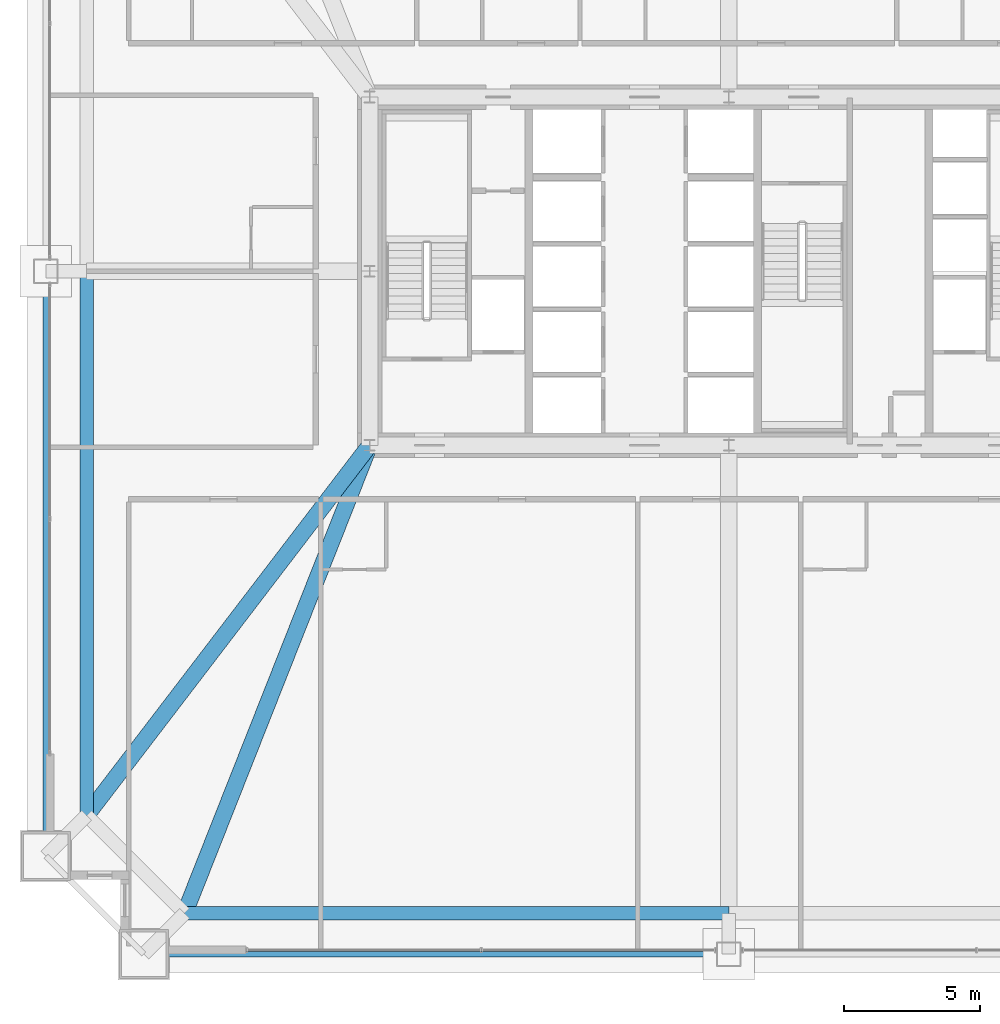
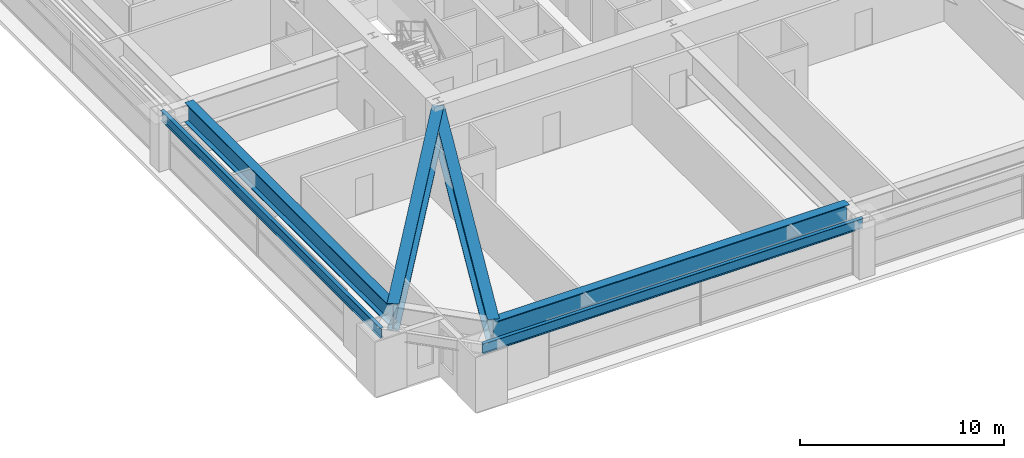
# One storey, part 4 of 44: 6 beams.
"""IFC4 building model written with IfcOpenShell, lengths in metres."""

from ifc_helpers import new_model, si_unit, direction, frame, origin, origin_2d, place, context, subcontext, project, spatial, i_section, extrude, source, transform, mapped, material, material_profile, profile_set, type_object, element, save


model = new_model("IFC4")

# Units and contexts
model_context = context("Model", 3, precision=1e-05, world=origin(), true_north=direction((0.0, 1.0)))
body_context = subcontext(model_context, "Body", "Model", "MODEL_VIEW")
ifc_project = project(units=[si_unit("LENGTHUNIT", "METRE"), si_unit("AREAUNIT", "SQUARE_METRE"), si_unit("VOLUMEUNIT", "CUBIC_METRE"), si_unit("PLANEANGLEUNIT", "RADIAN"), si_unit("MASSUNIT", "GRAM", prefix="KILO"), si_unit("THERMODYNAMICTEMPERATUREUNIT", "KELVIN"), si_unit("POWERUNIT", "WATT")], contexts=[model_context])

# Site, building, storey
site_placement = place(None, origin())
site = spatial("IfcSite", under=ifc_project, at=site_placement, CompositionType="ELEMENT")
building_placement = place(site_placement, origin())
building = spatial("IfcBuilding", under=site, at=building_placement, Name="Yuzanri Waterfront Tower", CompositionType="ELEMENT")
storey_placement = place(building_placement, frame((0.0, 0.0, 82.0)))
storey = spatial("IfcBuildingStorey", under=building, at=storey_placement, Name="L21", CompositionType="ELEMENT", Elevation=82.0)

# Beams
ifc_material_1 = material(Name="Steel Q355B", Category="steel")
ifc_material_profile_1 = material_profile(ifc_material_1, i_section(OverallWidth=0.199951171875, OverallDepth=0.60009765625, WebThickness=0.010986328125, FlangeThickness=0.01708984375, at=origin_2d()), Name="HN 600x200x11x17")
ifc_profile_set_1 = profile_set([ifc_material_profile_1], Name="Steel Q355B")
beam_type_1 = type_object("IfcBeamType", Name="Perimeter Spandrel Q355B HN 600x200", PredefinedType="SPANDREL", material=ifc_profile_set_1)
shared_shape_1 = source(origin(), body_context, "Body", "SweptSolid", [
    extrude(i_section(OverallWidth=0.199951171875, OverallDepth=0.60009765625, WebThickness=0.010986328125, FlangeThickness=0.01708984375, at=origin_2d()), origin(), (0.0, 0.0, 1.0), 21.5),
])
for number, where, z_axis, x_axis, name in (
    (1, (15.5, 0.699951171875, 3.02001953125), (1.0, 0.0, 0.0), (0.0, 1.0, 0.0), "L21 Perimeter Spandrel S1-S2"),
    (2, (11.89990234375, 25.800048828125, 3.02001953125), (0.0, -1.0, 0.0), (1.0, 0.0, 0.0), "L21 Perimeter Spandrel W2-W1"),
):
    element("IfcBeam", number, at=place(storey_placement, frame(where, z_axis=z_axis, x_axis=x_axis)), inside=storey, type_object=beam_type_1, Name=name, PredefinedType="SPANDREL", context=body_context, shape_type="MappedRepresentation", body=[
        mapped(shared_shape_1, transform((0.0, 0.0, 0.0), scale=1.0)),
    ])
ifc_material_2 = material(Name="Steel Q420GJC", Category="steel")
ifc_material_profile_2 = material_profile(ifc_material_2, i_section(OverallWidth=0.60009765625, OverallDepth=1.60009765625, WebThickness=0.031982421875, FlangeThickness=0.06005859375, at=origin_2d()), Name="PG 1600x600x32x60")
ifc_profile_set_2 = profile_set([ifc_material_profile_2], Name="Steel Q420GJC")
beam_type_2 = type_object("IfcBeamType", Name="Ballroom Transfer Girder Q420GJC PG 1600x600", PredefinedType="USERDEFINED", material=ifc_profile_set_2)
shared_shape_2 = source(origin(), body_context, "Body", "SweptSolid", [
    extrude(i_section(OverallWidth=0.60009765625, OverallDepth=1.60009765625, WebThickness=0.031982421875, FlangeThickness=0.06005859375, at=origin_2d()), origin(), (0.0, 0.0, 1.0), 18.495361328125),
])
beam_1_placement = place(storey_placement, frame((23.800048828125, 19.39990234375, 2.52001953125), z_axis=(-0.367662075171, -0.929959460665, 0.0), x_axis=(0.929959460665, -0.367662075171, 0.0)))
element("IfcBeam", 3, at=beam_1_placement, inside=storey, type_object=beam_type_2, Name="L21 Setback Inner Transfer S1", ObjectType="GIRDER", PredefinedType="USERDEFINED", context=body_context, shape_type="MappedRepresentation", body=[
    mapped(shared_shape_2, transform((0.0, 0.0, 0.0), scale=1.0)),
])
shared_shape_3 = source(origin(), body_context, "Body", "SweptSolid", [
    extrude(i_section(OverallWidth=0.60009765625, OverallDepth=1.60009765625, WebThickness=0.031982421875, FlangeThickness=0.06005859375, at=origin_2d()), origin(), (0.0, 0.0, 1.0), 17.12060546875),
])
beam_2_placement = place(storey_placement, frame((23.800048828125, 19.39990234375, 2.52001953125), z_axis=(-0.607459634918, -0.794350547268, 0.0), x_axis=(0.794350547268, -0.607459634918, 0.0)))
element("IfcBeam", 4, at=beam_2_placement, inside=storey, type_object=beam_type_2, Name="L21 Setback Inner Transfer W1", ObjectType="GIRDER", PredefinedType="USERDEFINED", context=body_context, shape_type="MappedRepresentation", body=[
    mapped(shared_shape_3, transform((0.0, 0.0, 0.0), scale=1.0)),
])
ifc_material_3 = material(Name="Steel Q420GJC", Category="steel")
ifc_material_profile_3 = material_profile(ifc_material_3, i_section(OverallWidth=0.5, OverallDepth=1.199951171875, WebThickness=0.028076171875, FlangeThickness=0.050048828125, at=origin_2d()), Name="PG 1200x500x28x50")
ifc_profile_set_3 = profile_set([ifc_material_profile_3], Name="Steel Q420GJC")
beam_type_3 = type_object("IfcBeamType", Name="Setback Transfer Girder Q420GJC PG 1200x500", PredefinedType="USERDEFINED", material=ifc_profile_set_3)
shared_shape_4 = source(origin(), body_context, "Body", "SweptSolid", [
    extrude(i_section(OverallWidth=0.5, OverallDepth=1.199951171875, WebThickness=0.028076171875, FlangeThickness=0.050048828125, at=origin_2d()), origin(), (0.0, 0.0, 1.0), 20.0),
])
for number, where, z_axis, x_axis, name in (
    (5, (17.0, 2.199951171875, 2.719970703125), (1.0, 0.0, 0.0), (0.0, 1.0, 0.0), "L21 Setback Upper Ring S1-S2"),
    (6, (13.39990234375, 25.800048828125, 2.719970703125), (0.0, -1.0, 0.0), (1.0, 0.0, 0.0), "L21 Setback Upper Ring W2-W1"),
):
    element("IfcBeam", number, at=place(storey_placement, frame(where, z_axis=z_axis, x_axis=x_axis)), inside=storey, type_object=beam_type_3, Name=name, ObjectType="GIRDER", PredefinedType="USERDEFINED", context=body_context, shape_type="MappedRepresentation", body=[
        mapped(shared_shape_4, transform((0.0, 0.0, 0.0), scale=1.0)),
    ])

save(model, "model.ifc")
